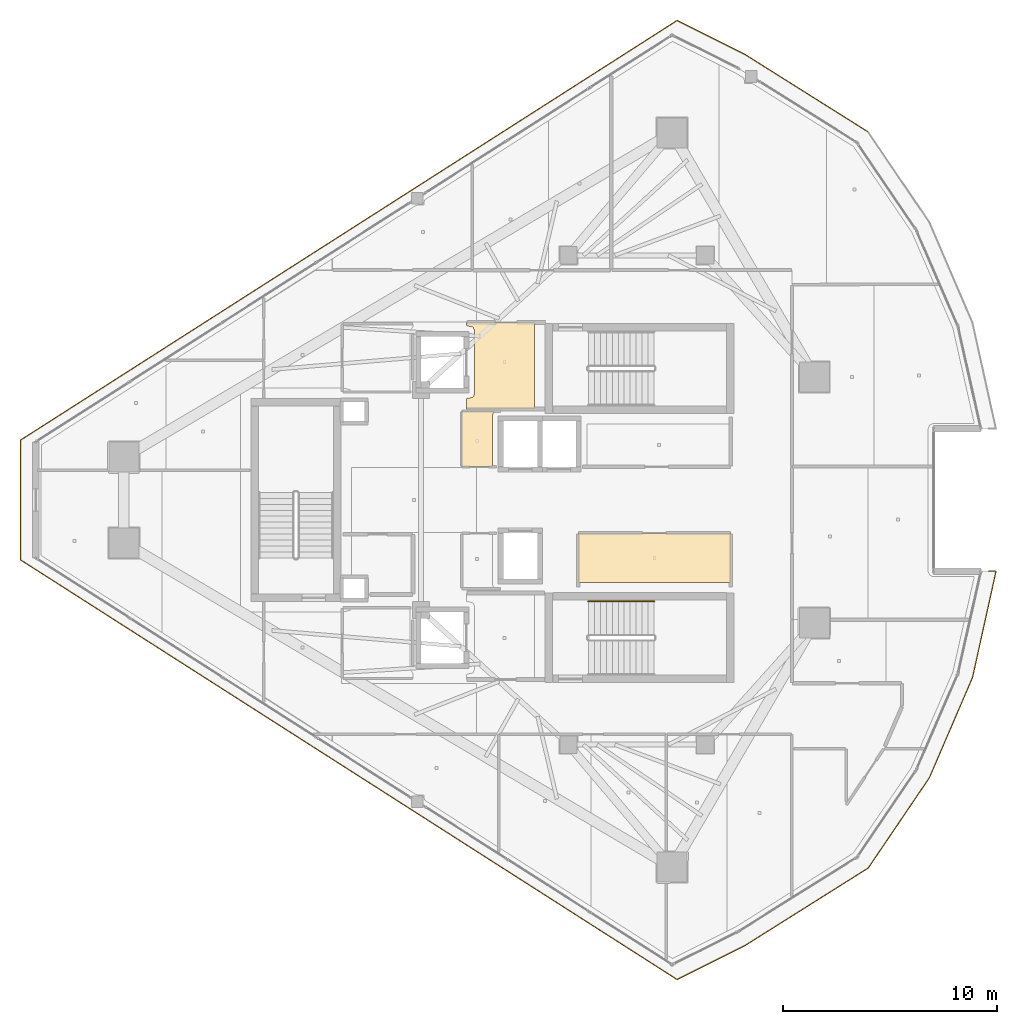
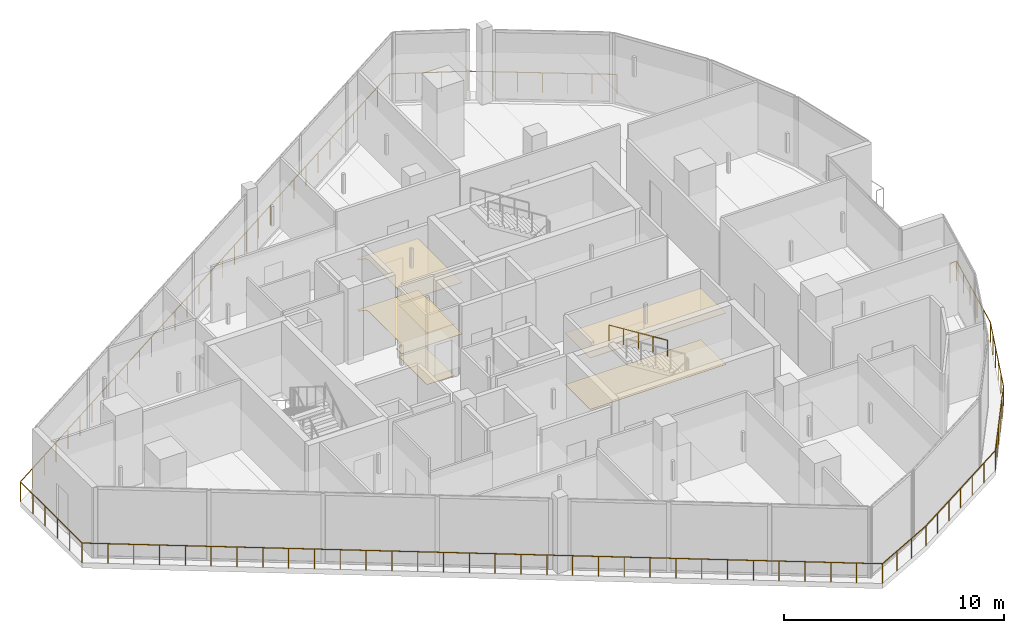
# One storey, part 21 of 23: 6 coverings, 2 railings.
"""IFC4 building model written with IfcOpenShell, lengths in metres."""

from ifc_helpers import new_model, si_unit, direction, frame, origin, origin_2d, place, context, subcontext, project, spatial, polyline, circle, outline, extrude, material, layer, layer_set, type_object, element, save


model = new_model("IFC4")

# Units and contexts
model_context = context("Model", 3, precision=1e-05, world=origin(), true_north=direction((0.0, 1.0)))
body_context = subcontext(model_context, "Body", "Model", "MODEL_VIEW")
ifc_project = project(units=[si_unit("LENGTHUNIT", "METRE"), si_unit("AREAUNIT", "SQUARE_METRE"), si_unit("VOLUMEUNIT", "CUBIC_METRE"), si_unit("PLANEANGLEUNIT", "RADIAN"), si_unit("MASSUNIT", "GRAM", prefix="KILO")], contexts=[model_context])

# Site, building, storey
site_placement = place(None, origin())
site = spatial("IfcSite", under=ifc_project, at=site_placement, CompositionType="ELEMENT")
building_placement = place(site_placement, origin())
building = spatial("IfcBuilding", under=site, at=building_placement, Name="Qorvath Tower", CompositionType="ELEMENT")
storey_placement = place(building_placement, frame((0.0, 0.0, 310.199951171875)))
storey = spatial("IfcBuildingStorey", under=building, at=storey_placement, Name="L72", CompositionType="ELEMENT", Elevation=310.199951171875)

# Coverings
ifc_material_1 = material(Name="Acoustic mineral fibre ceiling tile", Category="gypsum")
ifc_layer_1 = layer(ifc_material_1, 0.030029296875)
ifc_layer_set_1 = layer_set([ifc_layer_1], Name="COV-CEIL")
covering_type_1 = type_object("IfcCoveringType", Name="COV-CEIL", PredefinedType="CEILING", material=ifc_layer_set_1)
covering_1_placement = place(storey_placement, frame((0.0, 0.0, 2.85009765625)))
element("IfcCovering", 1, at=covering_1_placement, inside=storey, type_object=covering_type_1, Name="L72 Suspended Acoustic Ceiling 001", PredefinedType="CEILING", context=body_context, shape_type="SweptSolid", body=[
    extrude(outline(polyline([(-25.18994140625, 4.2548828125), (-25.18994140625, 8.294921875), (-28.375, 8.294921875), (-28.375, 8.159912109375), (-28.063232421875, 8.086669921875), (-27.989990234375, 7.909912109375), (-27.989990234375, 4.989990234375), (-28.063232421875, 4.813232421875), (-28.375, 4.739990234375), (-28.375, 4.2548828125), (-25.18994140625, 4.2548828125)])), origin(), (0.0, 0.0, 1.0), 0.030029296875),
])
covering_2_placement = place(storey_placement, frame((0.0, 0.0, 2.85009765625)))
element("IfcCovering", 2, at=covering_2_placement, inside=storey, type_object=covering_type_1, Name="L72 Suspended Acoustic Ceiling 004", PredefinedType="CEILING", context=body_context, shape_type="SweptSolid", body=[
    extrude(outline(polyline([(-23.14501953125, -3.85009765625), (-16.0048828125, -3.85009765625), (-16.0048828125, -1.56494140625), (-23.14501953125, -1.56494140625), (-23.14501953125, -3.85009765625)])), origin(), (0.0, 0.0, 1.0), 0.030029296875),
])
covering_3_placement = place(storey_placement, frame((0.0, 0.0, 2.85009765625)))
element("IfcCovering", 3, at=covering_3_placement, inside=storey, type_object=covering_type_1, Name="L72 Suspended Acoustic Ceiling 005", PredefinedType="CEILING", context=body_context, shape_type="SweptSolid", body=[
    extrude(outline(polyline([(-27.159912109375, 1.56494140625), (-27.159912109375, 3.9599609375), (-27.06689453125, 4.14501953125), (-28.594970703125, 4.14501953125), (-28.594970703125, 1.56494140625), (-27.159912109375, 1.56494140625)])), origin(), (0.0, 0.0, 1.0), 0.030029296875),
])
ifc_material_2 = material(Name="Low-VOC modular carpet tile", Category="textile")
ifc_layer_2 = layer(ifc_material_2, 0.014892578125)
ifc_layer_set_2 = layer_set([ifc_layer_2], Name="COV-FLOOR-CPT")
covering_type_2 = type_object("IfcCoveringType", Name="COV-FLOOR-CPT", PredefinedType="FLOORING", material=ifc_layer_set_2)
covering_4_placement = place(storey_placement, origin())
element("IfcCovering", 4, at=covering_4_placement, inside=storey, type_object=covering_type_2, Name="L72 Floor Finish 004", PredefinedType="FLOORING", context=body_context, shape_type="SweptSolid", body=[
    extrude(outline(polyline([(-23.14501953125, -3.85009765625), (-16.0048828125, -3.85009765625), (-16.0048828125, -1.56494140625), (-23.14501953125, -1.56494140625), (-23.14501953125, -3.85009765625)])), origin(), (0.0, 0.0, 1.0), 0.01513671875),
])
covering_5_placement = place(storey_placement, origin())
element("IfcCovering", 5, at=covering_5_placement, inside=storey, type_object=covering_type_2, Name="L72 Floor Finish 005", PredefinedType="FLOORING", context=body_context, shape_type="SweptSolid", body=[
    extrude(outline(polyline([(-27.159912109375, 1.56494140625), (-27.159912109375, 3.9599609375), (-27.06689453125, 4.14501953125), (-28.594970703125, 4.14501953125), (-28.594970703125, 1.56494140625), (-27.159912109375, 1.56494140625)])), origin(), (0.0, 0.0, 1.0), 0.01513671875),
])
ifc_material_3 = material(Name="Polished epoxy terrazzo flooring", Category="concrete")
ifc_layer_3 = layer(ifc_material_3, 0.02001953125)
ifc_layer_set_3 = layer_set([ifc_layer_3], Name="COV-FLOOR-TRZ")
covering_type_3 = type_object("IfcCoveringType", Name="COV-FLOOR-TRZ", PredefinedType="FLOORING", material=ifc_layer_set_3)
covering_6_placement = place(storey_placement, origin())
element("IfcCovering", 6, at=covering_6_placement, inside=storey, type_object=covering_type_3, Name="L72 Floor Finish 001", PredefinedType="FLOORING", context=body_context, shape_type="SweptSolid", body=[
    extrude(outline(polyline([(-25.18994140625, 4.2548828125), (-25.18994140625, 8.294921875), (-28.375, 8.294921875), (-28.375, 8.159912109375), (-28.063232421875, 8.086669921875), (-27.989990234375, 7.909912109375), (-27.989990234375, 4.989990234375), (-28.063232421875, 4.813232421875), (-28.375, 4.739990234375), (-28.375, 4.2548828125), (-25.18994140625, 4.2548828125)])), origin(), (0.0, 0.0, 1.0), 0.01513671875),
])

# Railings
ifc_material_4 = material(Name="Laminated safety glass and stainless steel AISI 316", Category="steel")
railing_type_1 = type_object("IfcRailingType", Name="RL-EXT-GRD", PredefinedType="GUARDRAIL", material=ifc_material_4)
railing_1_placement = place(storey_placement, frame((-3.944091796875, -3.331787109375, 0.0)))
element("IfcRailing", 7, at=railing_1_placement, inside=storey, type_object=railing_type_1, Name="Loggia Perimeter Guardrail L72-1.2", PredefinedType="GUARDRAIL", context=body_context, shape_type="SweptSolid", body=[
    extrude(circle(Radius=0.02392578125, at=origin_2d()), frame((0.0, 0.0, 1.09619140625), z_axis=(1.0, 0.0, 0.0), x_axis=(0.0, 1.0, 0.0)), (0.0, 0.0, 1.0), 0.35400390625),
    extrude(circle(Radius=0.02392578125, at=origin_2d()), frame((0.35400390625, 0.0, 1.09619140625), z_axis=(-0.216099444047, -0.976371358799, 0.0), x_axis=(0.976371358799, -0.216099444047, 0.0)), (0.0, 0.0, 1.0), 5.10205078125),
    extrude(circle(Radius=0.02392578125, at=origin_2d()), frame((-0.74853515625, -4.9814453125, 1.09619140625), z_axis=(-0.395477972793, -0.918475461314, 0.0), x_axis=(0.918475461314, -0.395477972793, 0.0)), (0.0, 0.0, 1.0), 5.102294921875),
    extrude(circle(Radius=0.02392578125, at=origin_2d()), frame((-2.766357421875, -9.667724609375, 1.09619140625), z_axis=(-0.560824867465, -0.827934458778, 0.0), x_axis=(0.827934458778, -0.560824867465, 0.0)), (0.0, 0.0, 1.0), 5.10205078125),
    extrude(circle(Radius=0.02392578125, at=origin_2d()), frame((-5.627685546875, -13.891845703125, 1.09619140625), z_axis=(-0.846498941866, -0.532390403201, 0.0), x_axis=(0.532390403201, -0.846498941866, 0.0)), (0.0, 0.0, 1.0), 6.78466796875),
    extrude(circle(Radius=0.02392578125, at=origin_2d()), frame((-11.370849609375, -17.50390625, 1.09619140625), z_axis=(-0.894427191, -0.4472135955, 0.0), x_axis=(0.4472135955, -0.894427191, 0.0)), (0.0, 0.0, 1.0), 3.583984375),
    extrude(circle(Radius=0.02392578125, at=origin_2d()), frame((-14.576416015625, -19.106689453125, 1.09619140625), z_axis=(-0.842601555563, 0.538537481112, 0.0), x_axis=(-0.538537481112, -0.842601555563, 0.0)), (0.0, 0.0, 1.0), 36.45751953125),
    extrude(circle(Radius=0.02392578125, at=origin_2d()), frame((-45.295654296875, 0.527099609375, 1.09619140625), z_axis=(0.0, 1.0, 0.0), x_axis=(-1.0, 0.0, 0.0)), (0.0, 0.0, 1.0), 5.609375),
    extrude(circle(Radius=0.02392578125, at=origin_2d()), frame((-45.295654296875, 6.136474609375, 1.09619140625), z_axis=(0.842601555563, 0.538537481112, 0.0), x_axis=(-0.538537481112, 0.842601555563, 0.0)), (0.0, 0.0, 1.0), 36.45751953125),
    extrude(circle(Radius=0.02392578125, at=origin_2d()), frame((-14.576416015625, 25.770263671875, 1.09619140625), z_axis=(0.894427191, -0.4472135955, 0.0), x_axis=(0.4472135955, 0.894427191, 0.0)), (0.0, 0.0, 1.0), 3.583984375),
    extrude(circle(Radius=0.02392578125, at=origin_2d()), frame((-11.370849609375, 24.16748046875, 1.09619140625), z_axis=(0.846498941866, -0.532390403201, 0.0), x_axis=(0.532390403201, 0.846498941866, 0.0)), (0.0, 0.0, 1.0), 6.78466796875),
    extrude(circle(Radius=0.02099609375, at=origin_2d()), origin(), (0.0, 0.0, 1.0), 1.072021484375),
    extrude(circle(Radius=0.02099609375, at=origin_2d()), frame((0.35400390625, 0.0, 0.0)), (0.0, 0.0, 1.0), 1.072021484375),
    extrude(circle(Radius=0.02099609375, at=origin_2d()), frame((0.133544921875, -0.996337890625, 0.0)), (0.0, 0.0, 1.0), 1.072021484375),
    extrude(circle(Radius=0.02099609375, at=origin_2d()), frame((-0.0869140625, -1.99267578125, 0.0)), (0.0, 0.0, 1.0), 1.072021484375),
    extrude(circle(Radius=0.02099609375, at=origin_2d()), frame((-0.3076171875, -2.98876953125, 0.0)), (0.0, 0.0, 1.0), 1.072021484375),
    extrude(circle(Radius=0.02099609375, at=origin_2d()), frame((-0.528076171875, -3.985107421875, 0.0)), (0.0, 0.0, 1.0), 1.072021484375),
    extrude(circle(Radius=0.02099609375, at=origin_2d()), frame((-0.74853515625, -4.9814453125, 0.0)), (0.0, 0.0, 1.0), 1.072021484375),
    extrude(circle(Radius=0.02099609375, at=origin_2d()), frame((-1.152099609375, -5.918701171875, 0.0)), (0.0, 0.0, 1.0), 1.072021484375),
    extrude(circle(Radius=0.02099609375, at=origin_2d()), frame((-1.5556640625, -6.85595703125, 0.0)), (0.0, 0.0, 1.0), 1.072021484375),
    extrude(circle(Radius=0.02099609375, at=origin_2d()), frame((-1.959228515625, -7.793212890625, 0.0)), (0.0, 0.0, 1.0), 1.072021484375),
    extrude(circle(Radius=0.02099609375, at=origin_2d()), frame((-2.36279296875, -8.73046875, 0.0)), (0.0, 0.0, 1.0), 1.072021484375),
    extrude(circle(Radius=0.02099609375, at=origin_2d()), frame((-2.766357421875, -9.667724609375, 0.0)), (0.0, 0.0, 1.0), 1.072021484375),
    extrude(circle(Radius=0.02099609375, at=origin_2d()), frame((-3.338623046875, -10.512451171875, 0.0)), (0.0, 0.0, 1.0), 1.072021484375),
    extrude(circle(Radius=0.02099609375, at=origin_2d()), frame((-3.910888671875, -11.357421875, 0.0)), (0.0, 0.0, 1.0), 1.072021484375),
    extrude(circle(Radius=0.02099609375, at=origin_2d()), frame((-4.483154296875, -12.2021484375, 0.0)), (0.0, 0.0, 1.0), 1.072021484375),
    extrude(circle(Radius=0.02099609375, at=origin_2d()), frame((-5.055419921875, -13.047119140625, 0.0)), (0.0, 0.0, 1.0), 1.072021484375),
    extrude(circle(Radius=0.02099609375, at=origin_2d()), frame((-5.627685546875, -13.891845703125, 0.0)), (0.0, 0.0, 1.0), 1.072021484375),
    extrude(circle(Radius=0.02099609375, at=origin_2d()), frame((-6.5849609375, -14.493896484375, 0.0)), (0.0, 0.0, 1.0), 1.072021484375),
    extrude(circle(Radius=0.02099609375, at=origin_2d()), frame((-7.5419921875, -15.095947265625, 0.0)), (0.0, 0.0, 1.0), 1.072021484375),
    extrude(circle(Radius=0.02099609375, at=origin_2d()), frame((-8.499267578125, -15.69775390625, 0.0)), (0.0, 0.0, 1.0), 1.072021484375),
    extrude(circle(Radius=0.02099609375, at=origin_2d()), frame((-9.45654296875, -16.2998046875, 0.0)), (0.0, 0.0, 1.0), 1.072021484375),
    extrude(circle(Radius=0.02099609375, at=origin_2d()), frame((-10.41357421875, -16.90185546875, 0.0)), (0.0, 0.0, 1.0), 1.072021484375),
    extrude(circle(Radius=0.02099609375, at=origin_2d()), frame((-11.370849609375, -17.50390625, 0.0)), (0.0, 0.0, 1.0), 1.072021484375),
    extrude(circle(Radius=0.02099609375, at=origin_2d()), frame((-12.439453125, -18.0380859375, 0.0)), (0.0, 0.0, 1.0), 1.072021484375),
    extrude(circle(Radius=0.02099609375, at=origin_2d()), frame((-13.5078125, -18.572509765625, 0.0)), (0.0, 0.0, 1.0), 1.072021484375),
    extrude(circle(Radius=0.02099609375, at=origin_2d()), frame((-14.576416015625, -19.106689453125, 0.0)), (0.0, 0.0, 1.0), 1.072021484375),
    extrude(circle(Radius=0.02099609375, at=origin_2d()), frame((-15.5673828125, -18.473388671875, 0.0)), (0.0, 0.0, 1.0), 1.072021484375),
    extrude(circle(Radius=0.02099609375, at=origin_2d()), frame((-16.558349609375, -17.840087890625, 0.0)), (0.0, 0.0, 1.0), 1.072021484375),
    extrude(circle(Radius=0.02099609375, at=origin_2d()), frame((-17.54931640625, -17.20654296875, 0.0)), (0.0, 0.0, 1.0), 1.072021484375),
    extrude(circle(Radius=0.02099609375, at=origin_2d()), frame((-18.540283203125, -16.5732421875, 0.0)), (0.0, 0.0, 1.0), 1.072021484375),
    extrude(circle(Radius=0.02099609375, at=origin_2d()), frame((-19.53125, -15.93994140625, 0.0)), (0.0, 0.0, 1.0), 1.072021484375),
    extrude(circle(Radius=0.02099609375, at=origin_2d()), frame((-20.52197265625, -15.306640625, 0.0)), (0.0, 0.0, 1.0), 1.072021484375),
    extrude(circle(Radius=0.02099609375, at=origin_2d()), frame((-21.512939453125, -14.67333984375, 0.0)), (0.0, 0.0, 1.0), 1.072021484375),
    extrude(circle(Radius=0.02099609375, at=origin_2d()), frame((-22.50390625, -14.039794921875, 0.0)), (0.0, 0.0, 1.0), 1.072021484375),
    extrude(circle(Radius=0.02099609375, at=origin_2d()), frame((-23.494873046875, -13.406494140625, 0.0)), (0.0, 0.0, 1.0), 1.072021484375),
    extrude(circle(Radius=0.02099609375, at=origin_2d()), frame((-24.48583984375, -12.773193359375, 0.0)), (0.0, 0.0, 1.0), 1.072021484375),
    extrude(circle(Radius=0.02099609375, at=origin_2d()), frame((-25.476806640625, -12.139892578125, 0.0)), (0.0, 0.0, 1.0), 1.072021484375),
    extrude(circle(Radius=0.02099609375, at=origin_2d()), frame((-26.4677734375, -11.506591796875, 0.0)), (0.0, 0.0, 1.0), 1.072021484375),
    extrude(circle(Radius=0.02099609375, at=origin_2d()), frame((-27.458740234375, -10.873046875, 0.0)), (0.0, 0.0, 1.0), 1.072021484375),
    extrude(circle(Radius=0.02099609375, at=origin_2d()), frame((-28.44970703125, -10.23974609375, 0.0)), (0.0, 0.0, 1.0), 1.072021484375),
    extrude(circle(Radius=0.02099609375, at=origin_2d()), frame((-29.440673828125, -9.6064453125, 0.0)), (0.0, 0.0, 1.0), 1.072021484375),
    extrude(circle(Radius=0.02099609375, at=origin_2d()), frame((-30.431396484375, -8.97314453125, 0.0)), (0.0, 0.0, 1.0), 1.072021484375),
    extrude(circle(Radius=0.02099609375, at=origin_2d()), frame((-31.42236328125, -8.33984375, 0.0)), (0.0, 0.0, 1.0), 1.072021484375),
    extrude(circle(Radius=0.02099609375, at=origin_2d()), frame((-32.413330078125, -7.70654296875, 0.0)), (0.0, 0.0, 1.0), 1.072021484375),
    extrude(circle(Radius=0.02099609375, at=origin_2d()), frame((-33.404296875, -7.072998046875, 0.0)), (0.0, 0.0, 1.0), 1.072021484375),
    extrude(circle(Radius=0.02099609375, at=origin_2d()), frame((-34.395263671875, -6.439697265625, 0.0)), (0.0, 0.0, 1.0), 1.072021484375),
    extrude(circle(Radius=0.02099609375, at=origin_2d()), frame((-35.38623046875, -5.806396484375, 0.0)), (0.0, 0.0, 1.0), 1.072021484375),
    extrude(circle(Radius=0.02099609375, at=origin_2d()), frame((-36.377197265625, -5.173095703125, 0.0)), (0.0, 0.0, 1.0), 1.072021484375),
    extrude(circle(Radius=0.02099609375, at=origin_2d()), frame((-37.3681640625, -4.539794921875, 0.0)), (0.0, 0.0, 1.0), 1.072021484375),
    extrude(circle(Radius=0.02099609375, at=origin_2d()), frame((-38.359130859375, -3.90625, 0.0)), (0.0, 0.0, 1.0), 1.072021484375),
    extrude(circle(Radius=0.02099609375, at=origin_2d()), frame((-39.35009765625, -3.27294921875, 0.0)), (0.0, 0.0, 1.0), 1.072021484375),
    extrude(circle(Radius=0.02099609375, at=origin_2d()), frame((-40.3408203125, -2.6396484375, 0.0)), (0.0, 0.0, 1.0), 1.072021484375),
    extrude(circle(Radius=0.02099609375, at=origin_2d()), frame((-41.331787109375, -2.00634765625, 0.0)), (0.0, 0.0, 1.0), 1.072021484375),
    extrude(circle(Radius=0.02099609375, at=origin_2d()), frame((-42.32275390625, -1.373046875, 0.0)), (0.0, 0.0, 1.0), 1.072021484375),
    extrude(circle(Radius=0.02099609375, at=origin_2d()), frame((-43.313720703125, -0.739501953125, 0.0)), (0.0, 0.0, 1.0), 1.072021484375),
    extrude(circle(Radius=0.02099609375, at=origin_2d()), frame((-44.3046875, -0.106201171875, 0.0)), (0.0, 0.0, 1.0), 1.072021484375),
    extrude(circle(Radius=0.02099609375, at=origin_2d()), frame((-45.295654296875, 0.527099609375, 0.0)), (0.0, 0.0, 1.0), 1.072021484375),
    extrude(circle(Radius=0.02099609375, at=origin_2d()), frame((-45.295654296875, 1.64892578125, 0.0)), (0.0, 0.0, 1.0), 1.072021484375),
    extrude(circle(Radius=0.02099609375, at=origin_2d()), frame((-45.295654296875, 2.770751953125, 0.0)), (0.0, 0.0, 1.0), 1.072021484375),
    extrude(circle(Radius=0.02099609375, at=origin_2d()), frame((-45.295654296875, 3.892822265625, 0.0)), (0.0, 0.0, 1.0), 1.072021484375),
    extrude(circle(Radius=0.02099609375, at=origin_2d()), frame((-45.295654296875, 5.0146484375, 0.0)), (0.0, 0.0, 1.0), 1.072021484375),
    extrude(circle(Radius=0.02099609375, at=origin_2d()), frame((-45.295654296875, 6.136474609375, 0.0)), (0.0, 0.0, 1.0), 1.072021484375),
    extrude(circle(Radius=0.02099609375, at=origin_2d()), frame((-44.3046875, 6.769775390625, 0.0)), (0.0, 0.0, 1.0), 1.072021484375),
    extrude(circle(Radius=0.02099609375, at=origin_2d()), frame((-43.313720703125, 7.403076171875, 0.0)), (0.0, 0.0, 1.0), 1.072021484375),
    extrude(circle(Radius=0.02099609375, at=origin_2d()), frame((-42.32275390625, 8.03662109375, 0.0)), (0.0, 0.0, 1.0), 1.072021484375),
    extrude(circle(Radius=0.02099609375, at=origin_2d()), frame((-41.331787109375, 8.669921875, 0.0)), (0.0, 0.0, 1.0), 1.072021484375),
    extrude(circle(Radius=0.02099609375, at=origin_2d()), frame((-40.3408203125, 9.30322265625, 0.0)), (0.0, 0.0, 1.0), 1.072021484375),
    extrude(circle(Radius=0.02099609375, at=origin_2d()), frame((-39.35009765625, 9.9365234375, 0.0)), (0.0, 0.0, 1.0), 1.072021484375),
    extrude(circle(Radius=0.02099609375, at=origin_2d()), frame((-38.359130859375, 10.56982421875, 0.0)), (0.0, 0.0, 1.0), 1.072021484375),
    extrude(circle(Radius=0.02099609375, at=origin_2d()), frame((-37.3681640625, 11.203369140625, 0.0)), (0.0, 0.0, 1.0), 1.072021484375),
    extrude(circle(Radius=0.02099609375, at=origin_2d()), frame((-36.377197265625, 11.836669921875, 0.0)), (0.0, 0.0, 1.0), 1.072021484375),
    extrude(circle(Radius=0.02099609375, at=origin_2d()), frame((-35.38623046875, 12.469970703125, 0.0)), (0.0, 0.0, 1.0), 1.072021484375),
    extrude(circle(Radius=0.02099609375, at=origin_2d()), frame((-34.395263671875, 13.103271484375, 0.0)), (0.0, 0.0, 1.0), 1.072021484375),
    extrude(circle(Radius=0.02099609375, at=origin_2d()), frame((-33.404296875, 13.736572265625, 0.0)), (0.0, 0.0, 1.0), 1.072021484375),
    extrude(circle(Radius=0.02099609375, at=origin_2d()), frame((-32.413330078125, 14.3701171875, 0.0)), (0.0, 0.0, 1.0), 1.072021484375),
    extrude(circle(Radius=0.02099609375, at=origin_2d()), frame((-31.42236328125, 15.00341796875, 0.0)), (0.0, 0.0, 1.0), 1.072021484375),
    extrude(circle(Radius=0.02099609375, at=origin_2d()), frame((-30.431396484375, 15.63671875, 0.0)), (0.0, 0.0, 1.0), 1.072021484375),
    extrude(circle(Radius=0.02099609375, at=origin_2d()), frame((-29.440673828125, 16.27001953125, 0.0)), (0.0, 0.0, 1.0), 1.072021484375),
    extrude(circle(Radius=0.02099609375, at=origin_2d()), frame((-28.44970703125, 16.9033203125, 0.0)), (0.0, 0.0, 1.0), 1.072021484375),
    extrude(circle(Radius=0.02099609375, at=origin_2d()), frame((-27.458740234375, 17.53662109375, 0.0)), (0.0, 0.0, 1.0), 1.072021484375),
    extrude(circle(Radius=0.02099609375, at=origin_2d()), frame((-26.4677734375, 18.170166015625, 0.0)), (0.0, 0.0, 1.0), 1.072021484375),
    extrude(circle(Radius=0.02099609375, at=origin_2d()), frame((-25.476806640625, 18.803466796875, 0.0)), (0.0, 0.0, 1.0), 1.072021484375),
    extrude(circle(Radius=0.02099609375, at=origin_2d()), frame((-24.48583984375, 19.436767578125, 0.0)), (0.0, 0.0, 1.0), 1.072021484375),
    extrude(circle(Radius=0.02099609375, at=origin_2d()), frame((-23.494873046875, 20.070068359375, 0.0)), (0.0, 0.0, 1.0), 1.072021484375),
    extrude(circle(Radius=0.02099609375, at=origin_2d()), frame((-22.50390625, 20.703369140625, 0.0)), (0.0, 0.0, 1.0), 1.072021484375),
    extrude(circle(Radius=0.02099609375, at=origin_2d()), frame((-21.512939453125, 21.3369140625, 0.0)), (0.0, 0.0, 1.0), 1.072021484375),
    extrude(circle(Radius=0.02099609375, at=origin_2d()), frame((-20.52197265625, 21.97021484375, 0.0)), (0.0, 0.0, 1.0), 1.072021484375),
    extrude(circle(Radius=0.02099609375, at=origin_2d()), frame((-19.53125, 22.603515625, 0.0)), (0.0, 0.0, 1.0), 1.072021484375),
    extrude(circle(Radius=0.02099609375, at=origin_2d()), frame((-18.540283203125, 23.23681640625, 0.0)), (0.0, 0.0, 1.0), 1.072021484375),
    extrude(circle(Radius=0.02099609375, at=origin_2d()), frame((-17.54931640625, 23.8701171875, 0.0)), (0.0, 0.0, 1.0), 1.072021484375),
    extrude(circle(Radius=0.02099609375, at=origin_2d()), frame((-16.558349609375, 24.503662109375, 0.0)), (0.0, 0.0, 1.0), 1.072021484375),
    extrude(circle(Radius=0.02099609375, at=origin_2d()), frame((-15.5673828125, 25.136962890625, 0.0)), (0.0, 0.0, 1.0), 1.072021484375),
    extrude(circle(Radius=0.02099609375, at=origin_2d()), frame((-14.576416015625, 25.770263671875, 0.0)), (0.0, 0.0, 1.0), 1.072021484375),
    extrude(circle(Radius=0.02099609375, at=origin_2d()), frame((-13.5078125, 25.236083984375, 0.0)), (0.0, 0.0, 1.0), 1.072021484375),
    extrude(circle(Radius=0.02099609375, at=origin_2d()), frame((-12.439453125, 24.70166015625, 0.0)), (0.0, 0.0, 1.0), 1.072021484375),
    extrude(circle(Radius=0.02099609375, at=origin_2d()), frame((-11.370849609375, 24.16748046875, 0.0)), (0.0, 0.0, 1.0), 1.072021484375),
    extrude(circle(Radius=0.02099609375, at=origin_2d()), frame((-10.41357421875, 23.5654296875, 0.0)), (0.0, 0.0, 1.0), 1.072021484375),
    extrude(circle(Radius=0.02099609375, at=origin_2d()), frame((-9.45654296875, 22.96337890625, 0.0)), (0.0, 0.0, 1.0), 1.072021484375),
    extrude(circle(Radius=0.02099609375, at=origin_2d()), frame((-8.499267578125, 22.361328125, 0.0)), (0.0, 0.0, 1.0), 1.072021484375),
    extrude(circle(Radius=0.02099609375, at=origin_2d()), frame((-7.5419921875, 21.759521484375, 0.0)), (0.0, 0.0, 1.0), 1.072021484375),
    extrude(circle(Radius=0.02099609375, at=origin_2d()), frame((-6.5849609375, 21.157470703125, 0.0)), (0.0, 0.0, 1.0), 1.072021484375),
    extrude(circle(Radius=0.02099609375, at=origin_2d()), frame((-5.627685546875, 20.555419921875, 0.0)), (0.0, 0.0, 1.0), 1.072021484375),
])
ifc_material_5 = material(Name="Brushed stainless steel AISI 304", Category="steel")
railing_type_2 = type_object("IfcRailingType", Name="RL-STR-HND", PredefinedType="HANDRAIL", material=ifc_material_5)
railing_2_placement = place(storey_placement, frame((-19.590087890625, -4.739990234375, 2.275146484375)))
element("IfcRailing", 8, at=railing_2_placement, inside=storey, type_object=railing_type_2, Name="L72 TS2 stair handrail 2", PredefinedType="HANDRAIL", context=body_context, shape_type="SweptSolid", body=[
    extrude(circle(Radius=0.02392578125, at=origin_2d()), frame((0.0, 0.0, 0.8759765625), z_axis=(-0.848009633417, 0.0, 0.529980812513), x_axis=(0.0, -1.0, 0.0)), (0.0, 0.0, 1.0), 3.6318359375),
    extrude(circle(Radius=0.02099609375, at=origin_2d()), origin(), (0.0, 0.0, 1.0), 0.851806640625),
    extrude(circle(Radius=0.02099609375, at=origin_2d()), frame((-0.77001953125, 0.0, 0.481201171875)), (0.0, 0.0, 1.0), 0.851806640625),
    extrude(circle(Radius=0.02099609375, at=origin_2d()), frame((-1.5400390625, 0.0, 0.96240234375)), (0.0, 0.0, 1.0), 0.851806640625),
    extrude(circle(Radius=0.02099609375, at=origin_2d()), frame((-2.309814453125, 0.0, 1.443603515625)), (0.0, 0.0, 1.0), 0.851806640625),
    extrude(circle(Radius=0.02099609375, at=origin_2d()), frame((-3.079833984375, 0.0, 1.9248046875)), (0.0, 0.0, 1.0), 0.851806640625),
])

save(model, "model.ifc")
